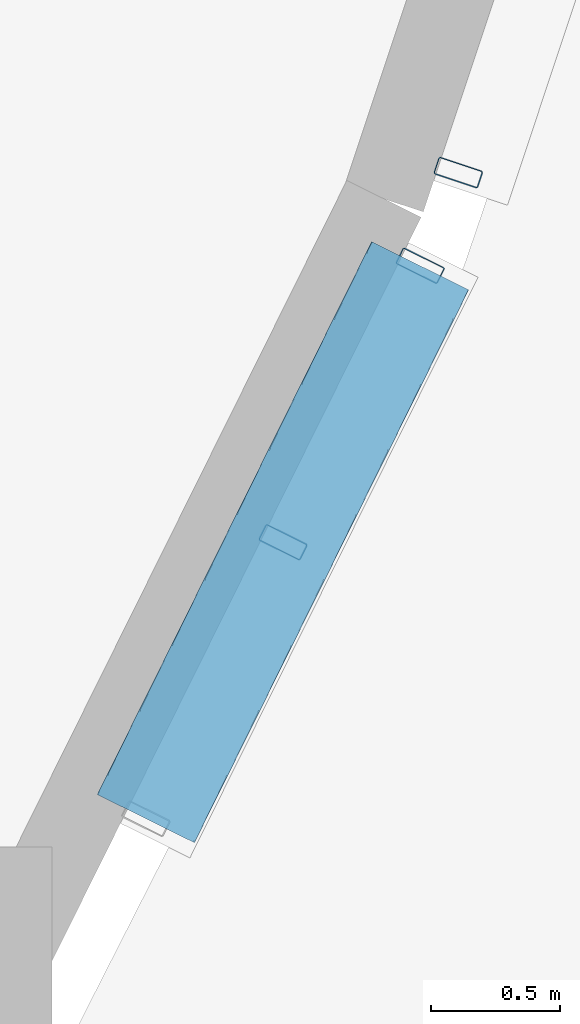
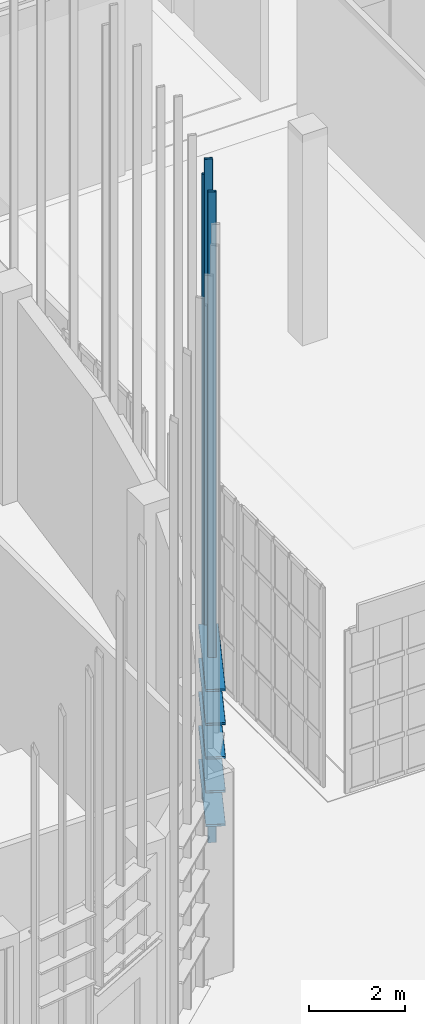
# One storey, part 265 of 372: 8 members.
"""IFC4 building model written with IfcOpenShell, lengths in metres."""

from ifc_helpers import new_model, si_unit, direction, frame, origin, origin_2d, place, context, subcontext, project, spatial, hollow_rectangle, extrude, material, material_profile, profile_set, type_object, element, save


model = new_model("IFC4")

# Units and contexts
model_context = context("Model", 3, precision=1e-05, world=origin(), true_north=direction((0.0, 1.0)))
body_context = subcontext(model_context, "Body", "Model", "MODEL_VIEW")
ifc_project = project(units=[si_unit("LENGTHUNIT", "METRE"), si_unit("AREAUNIT", "SQUARE_METRE"), si_unit("VOLUMEUNIT", "CUBIC_METRE"), si_unit("PLANEANGLEUNIT", "RADIAN"), si_unit("MASSUNIT", "GRAM", prefix="KILO")], contexts=[model_context])

# Site, building, storey
site_placement = place(None, origin())
site = spatial("IfcSite", under=ifc_project, at=site_placement, CompositionType="ELEMENT")
building_placement = place(site_placement, origin())
building = spatial("IfcBuilding", under=site, at=building_placement, Name="Kaelora Sail Theatre", CompositionType="ELEMENT")
storey_placement = place(building_placement, origin())
storey = spatial("IfcBuildingStorey", under=building, at=storey_placement, Name="L00", CompositionType="ELEMENT", Elevation=0.0)

# Members
ifc_material_1 = material(Name="Anodised aluminium 6063-T6", Category="aluminium")
ifc_material_profile_1 = material_profile(ifc_material_1, hollow_rectangle(XDim=0.419921875, YDim=0.054931640625, WallThickness=0.00390625, InnerFilletRadius=0.00390625, OuterFilletRadius=0.008056640625, at=origin_2d()), Name="LOUVRE 420x55x4")
ifc_profile_set_1 = profile_set([ifc_material_profile_1], Name="Anodised aluminium 6063-T6")
member_type_1 = type_object("IfcMemberType", Name="ARC-MEM-LVR-420", PredefinedType="USERDEFINED", material=ifc_profile_set_1)
for number, where, z_axis, x_axis, name in (
    (1, (145.006103515625, 32.2783203125, 1.25), (-0.444466855912, -0.895795296927, 0.0), (0.895795296927, -0.444466855912, 0.0), "Black-Box and Experimental Sail Wing horizontal solar louvre C6-01"),
    (2, (145.006103515625, 32.2783203125, 2.110107421875), (-0.444466855912, -0.895795296927, 0.0), (0.895795296927, -0.444466855912, 0.0), "Black-Box and Experimental Sail Wing horizontal solar louvre C6-02"),
    (3, (145.006103515625, 32.2783203125, 2.969970703125), (-0.444466855912, -0.895795296927, 0.0), (0.895795296927, -0.444466855912, 0.0), "Black-Box and Experimental Sail Wing horizontal solar louvre C6-03"),
    (4, (145.006103515625, 32.2783203125, 3.830078125), (-0.444466855912, -0.895795296927, 0.0), (0.895795296927, -0.444466855912, 0.0), "Black-Box and Experimental Sail Wing horizontal solar louvre C6-04"),
    (5, (145.006103515625, 32.2783203125, 4.68994140625), (-0.444466855912, -0.895795296927, 0.0), (0.895795296927, -0.444466855912, 0.0), "Black-Box and Experimental Sail Wing horizontal solar louvre C6-05"),
):
    element("IfcMember", number, at=place(storey_placement, frame(where, z_axis=z_axis, x_axis=x_axis)), inside=storey, type_object=member_type_1, Name=name, ObjectType="LOUVRE", PredefinedType="USERDEFINED", context=body_context, shape_type="SweptSolid", body=[
        extrude(hollow_rectangle(XDim=0.419921875, YDim=0.054931640625, WallThickness=0.00390625, InnerFilletRadius=0.00390625, OuterFilletRadius=0.008056640625, at=origin_2d()), origin(), (0.0, 0.0, 1.0), 2.384033203125),
    ])
ifc_material_2 = material(Name="Anodised aluminium 6063-T6", Category="aluminium")
ifc_material_profile_2 = material_profile(ifc_material_2, hollow_rectangle(XDim=0.070068359375, YDim=0.179931640625, WallThickness=0.00390625, InnerFilletRadius=0.00390625, OuterFilletRadius=0.008056640625, at=origin_2d()), Name="ALU-MULL 70x180x4")
ifc_profile_set_2 = profile_set([ifc_material_profile_2], Name="Anodised aluminium 6063-T6")
member_type_2 = type_object("IfcMemberType", Name="ARC-MEM-PST-160", PredefinedType="POST", material=ifc_profile_set_2)
member_placement = place(storey_placement, frame((145.1533203125, 32.63818359375, 0.0), z_axis=(0.0, 0.0, 1.0), x_axis=(-0.316145823974, -0.948710608133, 0.0)))
element("IfcMember", 6, at=member_placement, inside=storey, type_object=member_type_2, Name="Black-Box and Experimental Sail Wing solar louvre vertical support post C5-3", PredefinedType="POST", context=body_context, shape_type="SweptSolid", body=[
    extrude(hollow_rectangle(XDim=0.070068359375, YDim=0.179931640625, WallThickness=0.00390625, InnerFilletRadius=0.00390625, OuterFilletRadius=0.008056640625, at=origin_2d()), origin(), (0.0, 0.0, 1.0), 15.92041015625),
])
for number, where, z_axis, x_axis, name in (
    (7, (145.006103515625, 32.2783203125, 0.0), (0.0, 0.0, 1.0), (-0.44447884122, -0.895789350075, 0.0), "Black-Box and Experimental Sail Wing solar louvre vertical support post C6-1"),
    (8, (144.476318359375, 31.21044921875, 0.0), (0.0, 0.0, 1.0), (-0.44447884122, -0.895789350075, 0.0), "Black-Box and Experimental Sail Wing solar louvre vertical support post C6-2"),
):
    element("IfcMember", number, at=place(storey_placement, frame(where, z_axis=z_axis, x_axis=x_axis)), inside=storey, type_object=member_type_2, Name=name, PredefinedType="POST", context=body_context, shape_type="SweptSolid", body=[
        extrude(hollow_rectangle(XDim=0.070068359375, YDim=0.179931640625, WallThickness=0.00390625, InnerFilletRadius=0.00390625, OuterFilletRadius=0.008056640625, at=origin_2d()), origin(), (0.0, 0.0, 1.0), 16.572998046875),
    ])

save(model, "model.ifc")
